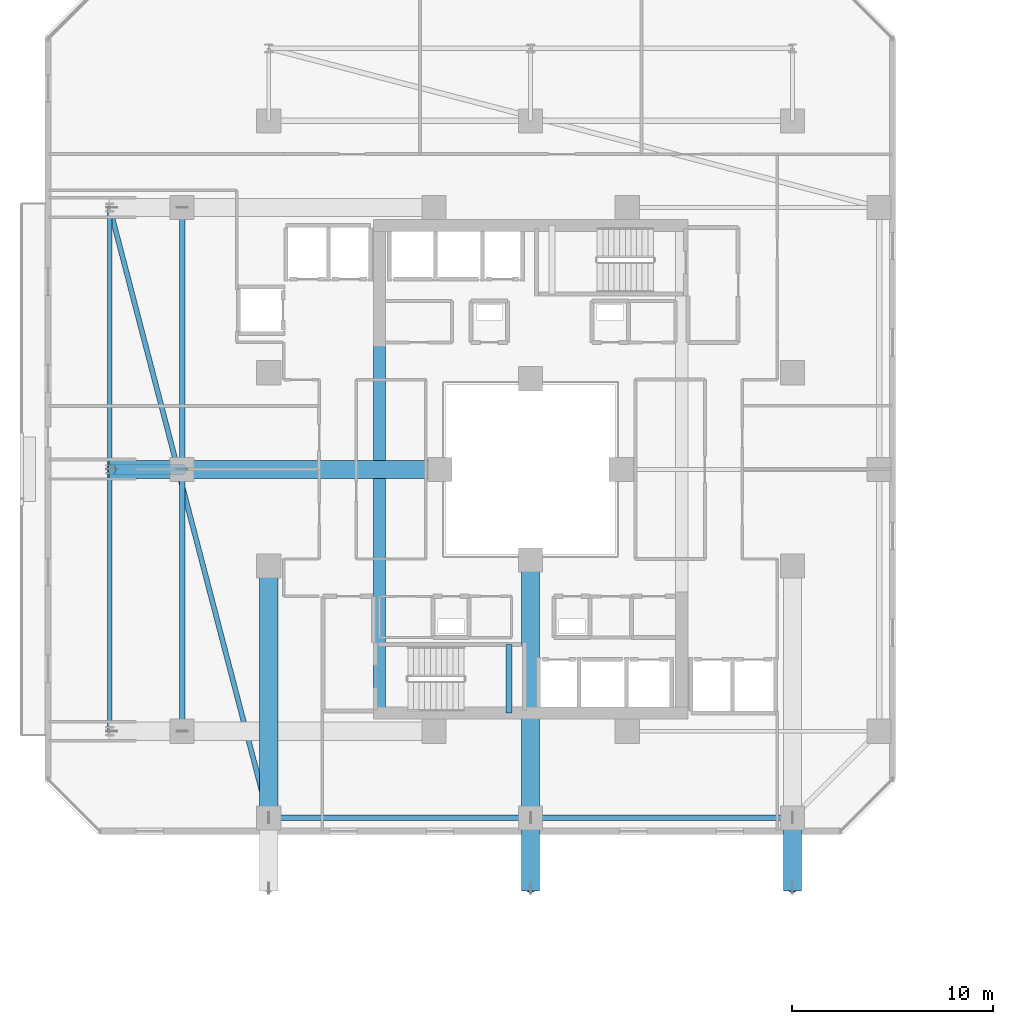
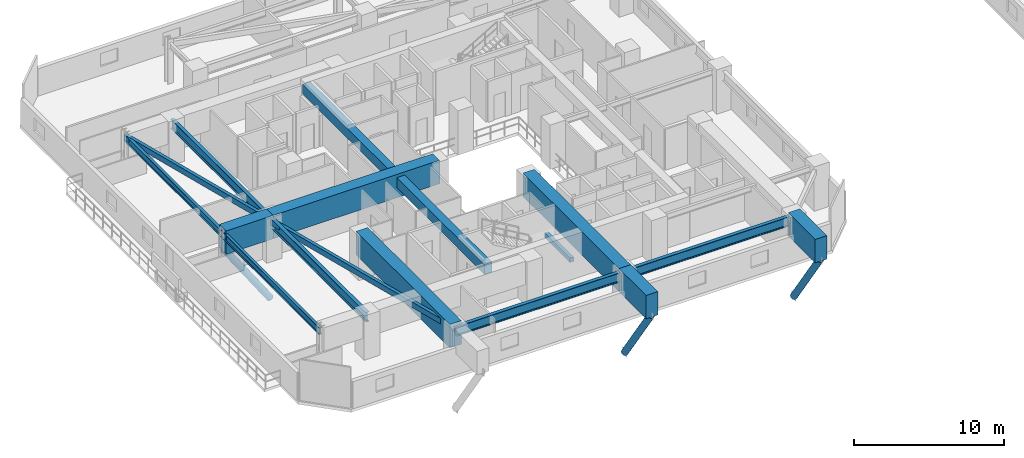
# One storey, part 4 of 36: 15 beams, 3 members.
"""IFC4 building model written with IfcOpenShell, lengths in metres."""

from ifc_helpers import new_model, si_unit, direction, frame, origin, origin_2d, place, context, subcontext, project, spatial, rectangle, hollow_rectangle, hollow_circle, i_section, extrude, material, material_profile, profile_set, type_object, element, save


model = new_model("IFC4")

# Units and contexts
model_context = context("Model", 3, precision=1e-05, world=origin(), true_north=direction((0.0, 1.0)))
body_context = subcontext(model_context, "Body", "Model", "MODEL_VIEW")
ifc_project = project(units=[si_unit("LENGTHUNIT", "METRE"), si_unit("AREAUNIT", "SQUARE_METRE"), si_unit("VOLUMEUNIT", "CUBIC_METRE"), si_unit("PLANEANGLEUNIT", "RADIAN"), si_unit("MASSUNIT", "GRAM", prefix="KILO")], contexts=[model_context])

# Site, building, storey
site_placement = place(None, origin())
site = spatial("IfcSite", under=ifc_project, at=site_placement, CompositionType="ELEMENT")
building_placement = place(site_placement, origin())
building = spatial("IfcBuilding", under=site, at=building_placement, Name="Thornwick Lancets Civic Towers", CompositionType="ELEMENT")
storey_placement = place(building_placement, frame((0.0, 0.0, 116.10009765625)))
storey = spatial("IfcBuildingStorey", under=building, at=storey_placement, Name="L30", CompositionType="ELEMENT", Elevation=116.10009765625)

# Beams
ifc_material_1 = material(Name="Concrete C60/75", Category="concrete")
ifc_material_profile_1 = material_profile(ifc_material_1, rectangle(XDim=0.60009765625, YDim=0.800048828125, at=origin_2d()), Name="RC 600x800")
ifc_profile_set_1 = profile_set([ifc_material_profile_1], Name="Concrete C60/75")
beam_type_1 = type_object("IfcBeamType", Name="BM_COUP_RC800", PredefinedType="BEAM", material=ifc_profile_set_1)
beam_1_placement = place(storey_placement, frame((18.0, 14.89990234375, 2.93994140625), z_axis=(0.0, 1.0, 0.0), x_axis=(-1.0, 0.0, 0.0)))
element("IfcBeam", 1, at=beam_1_placement, inside=storey, type_object=beam_type_1, Name="CB-L30-A2", PredefinedType="BEAM", context=body_context, shape_type="SweptSolid", body=[
    extrude(rectangle(XDim=0.60009765625, YDim=0.800048828125, at=origin_2d()), origin(), (0.0, 0.0, 1.0), 24.2001953125),
])
ifc_material_2 = material(Name="Steel S355JR", Category="steel")
ifc_material_profile_2 = material_profile(ifc_material_2, i_section(OverallWidth=0.2119140625, OverallDepth=0.54443359375, WebThickness=0.0126953125, FlangeThickness=0.021240234375, FilletRadius=0.0126953125, at=origin_2d()), Name="UKB 533x210x122")
ifc_profile_set_2 = profile_set([ifc_material_profile_2], Name="Steel S355JR")
beam_type_2 = type_object("IfcBeamType", Name="BM_EDGE_533_122", PredefinedType="SPANDREL", material=ifc_profile_set_2)
beam_2_placement = place(storey_placement, frame((4.60009765625, 14.0, 3.067626953125), z_axis=(0.0, 1.0, 0.0), x_axis=(-1.0, 0.0, 0.0)))
element("IfcBeam", 2, at=beam_2_placement, inside=storey, type_object=beam_type_2, Name="BM-EDGE-L30-A-S3-1", PredefinedType="SPANDREL", context=body_context, shape_type="SweptSolid", body=[
    extrude(i_section(OverallWidth=0.2119140625, OverallDepth=0.54443359375, WebThickness=0.0126953125, FlangeThickness=0.021240234375, FilletRadius=0.0126953125, at=origin_2d()), origin(), (0.0, 0.0, 1.0), 13.0),
])
beam_3_placement = place(storey_placement, frame((4.60009765625, 27.080078125, 3.067626953125), z_axis=(0.0, 1.0, 0.0), x_axis=(-1.0, 0.0, 0.0)))
element("IfcBeam", 3, at=beam_3_placement, inside=storey, type_object=beam_type_2, Name="BM-EDGE-L30-A-S3-2", PredefinedType="SPANDREL", context=body_context, shape_type="SweptSolid", body=[
    extrude(i_section(OverallWidth=0.2119140625, OverallDepth=0.54443359375, WebThickness=0.0126953125, FlangeThickness=0.021240234375, FilletRadius=0.0126953125, at=origin_2d()), origin(), (0.0, 0.0, 1.0), 12.919921875),
])
ifc_material_profile_3 = material_profile(ifc_material_2, i_section(OverallWidth=0.26806640625, OverallDepth=0.769775390625, WebThickness=0.015625, FlangeThickness=0.025390625, FilletRadius=0.0166015625, at=origin_2d()), Name="UKB 762x267x197")
ifc_profile_set_3 = profile_set([ifc_material_profile_3], Name="Steel S355JR")
beam_type_3 = type_object("IfcBeamType", Name="BM_GIRD_762_197", PredefinedType="BEAM", material=ifc_profile_set_3)
beam_4_placement = place(storey_placement, frame((12.5, 9.699951171875, 2.955078125), z_axis=(1.0, 0.0, 0.0), x_axis=(0.0, 1.0, 0.0)))
element("IfcBeam", 4, at=beam_4_placement, inside=storey, type_object=beam_type_3, Name="BM-SPINE-L30-A-0-1", PredefinedType="BEAM", context=body_context, shape_type="SweptSolid", body=[
    extrude(i_section(OverallWidth=0.26806640625, OverallDepth=0.769775390625, WebThickness=0.015625, FlangeThickness=0.025390625, FilletRadius=0.0166015625, at=origin_2d()), origin(), (0.0, 0.0, 1.0), 13.0),
])
beam_5_placement = place(storey_placement, frame((25.580078125, 9.699951171875, 2.955078125), z_axis=(1.0, 0.0, 0.0), x_axis=(0.0, 1.0, 0.0)))
element("IfcBeam", 5, at=beam_5_placement, inside=storey, type_object=beam_type_3, Name="BM-SPINE-L30-A-1-2", PredefinedType="BEAM", context=body_context, shape_type="SweptSolid", body=[
    extrude(i_section(OverallWidth=0.26806640625, OverallDepth=0.769775390625, WebThickness=0.015625, FlangeThickness=0.025390625, FilletRadius=0.0166015625, at=origin_2d()), origin(), (0.0, 0.0, 1.0), 12.919921875),
])
beam_6_placement = place(storey_placement, frame((8.199951171875, 14.0, 2.955078125), z_axis=(0.0, 1.0, 0.0), x_axis=(-1.0, 0.0, 0.0)))
element("IfcBeam", 6, at=beam_6_placement, inside=storey, type_object=beam_type_3, Name="BM-SPINE-L30-A-9-10", PredefinedType="BEAM", context=body_context, shape_type="SweptSolid", body=[
    extrude(i_section(OverallWidth=0.26806640625, OverallDepth=0.769775390625, WebThickness=0.015625, FlangeThickness=0.025390625, FilletRadius=0.0166015625, at=origin_2d()), origin(), (0.0, 0.0, 1.0), 13.0),
])
beam_7_placement = place(storey_placement, frame((8.199951171875, 27.080078125, 2.955078125), z_axis=(0.0, 1.0, 0.0), x_axis=(-1.0, 0.0, 0.0)))
element("IfcBeam", 7, at=beam_7_placement, inside=storey, type_object=beam_type_3, Name="BM-SPINE-L30-A-10-11", PredefinedType="BEAM", context=body_context, shape_type="SweptSolid", body=[
    extrude(i_section(OverallWidth=0.26806640625, OverallDepth=0.769775390625, WebThickness=0.015625, FlangeThickness=0.025390625, FilletRadius=0.0166015625, at=origin_2d()), origin(), (0.0, 0.0, 1.0), 12.919921875),
])
ifc_material_profile_4 = material_profile(ifc_material_2, hollow_rectangle(XDim=0.25, YDim=0.449951171875, WallThickness=0.01611328125, at=origin_2d()), Name="RHS 450x250x16")
ifc_profile_set_4 = profile_set([ifc_material_profile_4], Name="Steel S355JR")
beam_type_4 = type_object("IfcBeamType", Name="BM_RING_RHS450", PredefinedType="BEAM", material=ifc_profile_set_4)
beam_8_placement = place(storey_placement, frame((4.60009765625, 40.0, 3.114990234375), z_axis=(0.252288590311, -0.967652038286, 0.0), x_axis=(0.967652038286, 0.252288590311, 0.0)))
element("IfcBeam", 8, at=beam_8_placement, inside=storey, type_object=beam_type_4, Name="BM-CHAMF-L30-A-C3", PredefinedType="BEAM", context=body_context, shape_type="SweptSolid", body=[
    extrude(hollow_rectangle(XDim=0.25, YDim=0.449951171875, WallThickness=0.01611328125, at=origin_2d()), origin(), (0.0, 0.0, 1.0), 31.31298828125),
])
ifc_material_3 = material(Name="Concrete C40/50", Category="concrete")
ifc_material_profile_5 = material_profile(ifc_material_3, rectangle(XDim=0.300048828125, YDim=0.35009765625, at=origin_2d()), Name="RC 300x350")
ifc_profile_set_5 = profile_set([ifc_material_profile_5], Name="Concrete C40/50")
beam_type_5 = type_object("IfcBeamType", Name="BM_STAIR_LDG", PredefinedType="BEAM", material=ifc_profile_set_5)
beam_9_placement = place(storey_placement, frame((24.43505859375, 14.89990234375, 1.3779296875), z_axis=(0.0, 1.0, 0.0), x_axis=(-1.0, 0.0, 0.0)))
element("IfcBeam", 9, at=beam_9_placement, inside=storey, type_object=beam_type_5, Name="L30 ST-A1 Landing Support Beam 1", PredefinedType="BEAM", context=body_context, shape_type="SweptSolid", body=[
    extrude(rectangle(XDim=0.300048828125, YDim=0.35009765625, at=origin_2d()), origin(), (0.0, 0.0, 1.0), 3.400146484375),
])
ifc_material_profile_6 = material_profile(ifc_material_1, rectangle(XDim=0.89990234375, YDim=1.89990234375, at=origin_2d()), Name="RC 900x1900")
ifc_profile_set_6 = profile_set([ifc_material_profile_6], Name="Concrete C60/75")
beam_type_6 = type_object("IfcBeamType", Name="BM_TR_RC1900", PredefinedType="BEAM", material=ifc_profile_set_6)
beam_10_placement = place(storey_placement, frame((12.5, 22.199951171875, 2.64990234375), z_axis=(0.0, -1.0, 0.0), x_axis=(1.0, 0.0, 0.0)))
element("IfcBeam", 10, at=beam_10_placement, inside=storey, type_object=beam_type_6, Name="TG-BACK-L31-A01", PredefinedType="BEAM", context=body_context, shape_type="SweptSolid", body=[
    extrude(rectangle(XDim=0.89990234375, YDim=1.89990234375, at=origin_2d()), origin(), (0.0, 0.0, 1.0), 12.5),
])
beam_11_placement = place(storey_placement, frame((25.5, 22.5, 2.64990234375), z_axis=(0.0, -1.0, 0.0), x_axis=(1.0, 0.0, 0.0)))
element("IfcBeam", 11, at=beam_11_placement, inside=storey, type_object=beam_type_6, Name="TG-BACK-L31-A02", PredefinedType="BEAM", context=body_context, shape_type="SweptSolid", body=[
    extrude(rectangle(XDim=0.89990234375, YDim=1.89990234375, at=origin_2d()), origin(), (0.0, 0.0, 1.0), 12.800048828125),
])
for number, where, z_axis, x_axis, name in (
    (12, (25.5, 9.699951171875, 2.64990234375), (0.0, -1.0, 0.0), (1.0, 0.0, 0.0), "TG-CANT-L31-A02"),
    (13, (38.5, 9.699951171875, 2.64990234375), (0.0, -1.0, 0.0), (1.0, 0.0, 0.0), "TG-CANT-L31-A03"),
):
    element("IfcBeam", number, at=place(storey_placement, frame(where, z_axis=z_axis, x_axis=x_axis)), inside=storey, type_object=beam_type_6, Name=name, PredefinedType="BEAM", context=body_context, shape_type="SweptSolid", body=[
        extrude(rectangle(XDim=0.89990234375, YDim=1.89990234375, at=origin_2d()), origin(), (0.0, 0.0, 1.0), 3.619873046875),
    ])
beam_12_placement = place(storey_placement, frame((21.0, 27.0, 2.64990234375), z_axis=(-1.0, 0.0, 0.0), x_axis=(0.0, -1.0, 0.0)))
element("IfcBeam", 14, at=beam_12_placement, inside=storey, type_object=beam_type_6, Name="TG-BACK-L31-A11", PredefinedType="BEAM", context=body_context, shape_type="SweptSolid", body=[
    extrude(rectangle(XDim=0.89990234375, YDim=1.89990234375, at=origin_2d()), origin(), (0.0, 0.0, 1.0), 12.800048828125),
])
beam_13_placement = place(storey_placement, frame((8.199951171875, 27.0, 2.64990234375), z_axis=(-1.0, 0.0, 0.0), x_axis=(0.0, -1.0, 0.0)))
element("IfcBeam", 15, at=beam_13_placement, inside=storey, type_object=beam_type_6, Name="TG-CANT-L31-A11", PredefinedType="BEAM", context=body_context, shape_type="SweptSolid", body=[
    extrude(rectangle(XDim=0.89990234375, YDim=1.89990234375, at=origin_2d()), origin(), (0.0, 0.0, 1.0), 3.619873046875),
])

# Members
ifc_material_4 = material(Name="Steel S460M", Category="steel")
ifc_material_profile_7 = material_profile(ifc_material_4, hollow_circle(Radius=0.25390625, WallThickness=0.02490234375, at=origin_2d()), Name="CHS 508x25")
ifc_profile_set_7 = profile_set([ifc_material_profile_7], Name="Steel S460M")
member_type = type_object("IfcMemberType", Name="MEM_STRUT_CHS508", PredefinedType="STRUT", material=ifc_profile_set_7)
for number, where, z_axis, x_axis, name in (
    (16, (25.5, 9.699951171875, -3.35009765625), (0.0, -0.563595410885, 0.826050974716), (1.0, 0.0, 0.0), "L31 Jenga Transfer Raking Strut A02"),
    (17, (38.5, 9.699951171875, -3.35009765625), (0.0, -0.563595410885, 0.826050974716), (1.0, 0.0, 0.0), "L31 Jenga Transfer Raking Strut A03"),
    (18, (8.199951171875, 27.0, -3.35009765625), (-0.563595410885, 0.0, 0.826050974716), (0.0, -1.0, 0.0), "L31 Jenga Transfer Raking Strut A11"),
):
    element("IfcMember", number, at=place(storey_placement, frame(where, z_axis=z_axis, x_axis=x_axis)), inside=storey, type_object=member_type, Name=name, PredefinedType="STRUT", context=body_context, shape_type="SweptSolid", body=[
        extrude(hollow_circle(Radius=0.25390625, WallThickness=0.02490234375, at=origin_2d()), origin(), (0.0, 0.0, 1.0), 6.210205078125),
    ])

save(model, "model.ifc")
